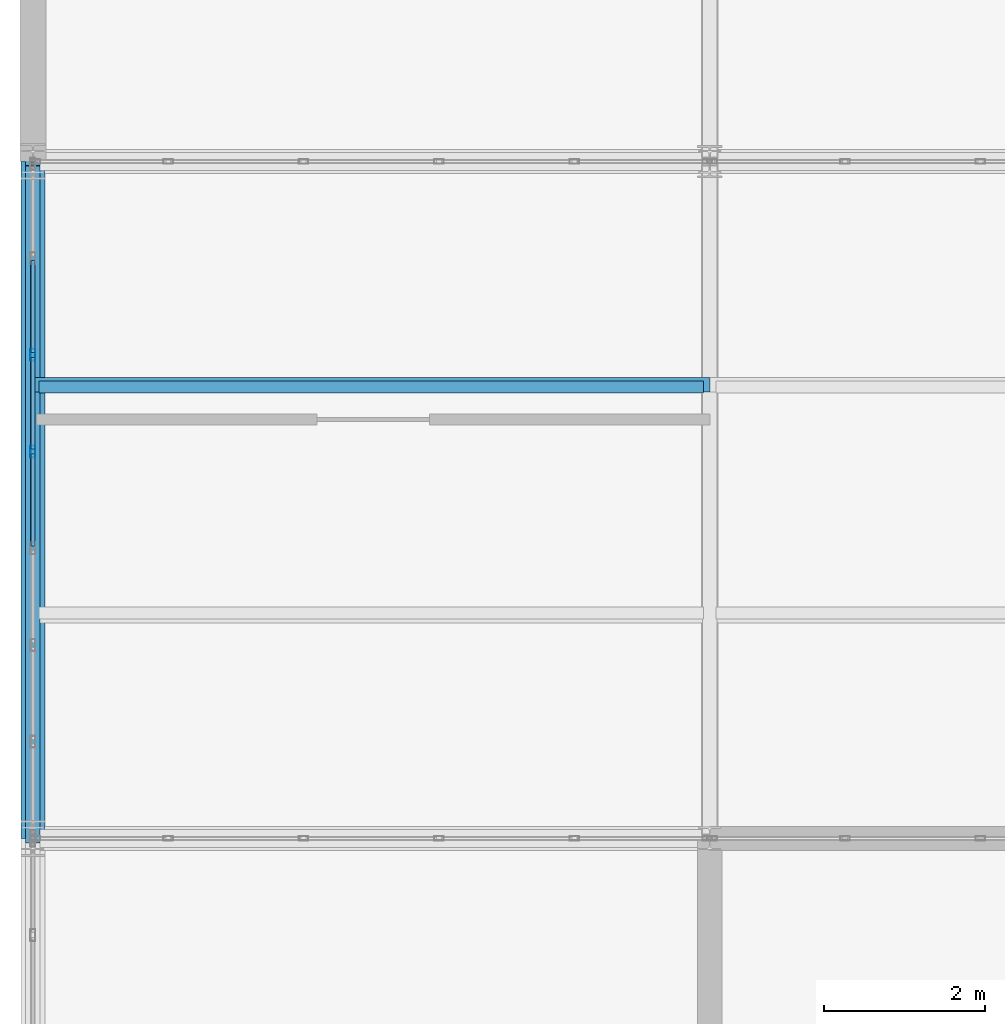
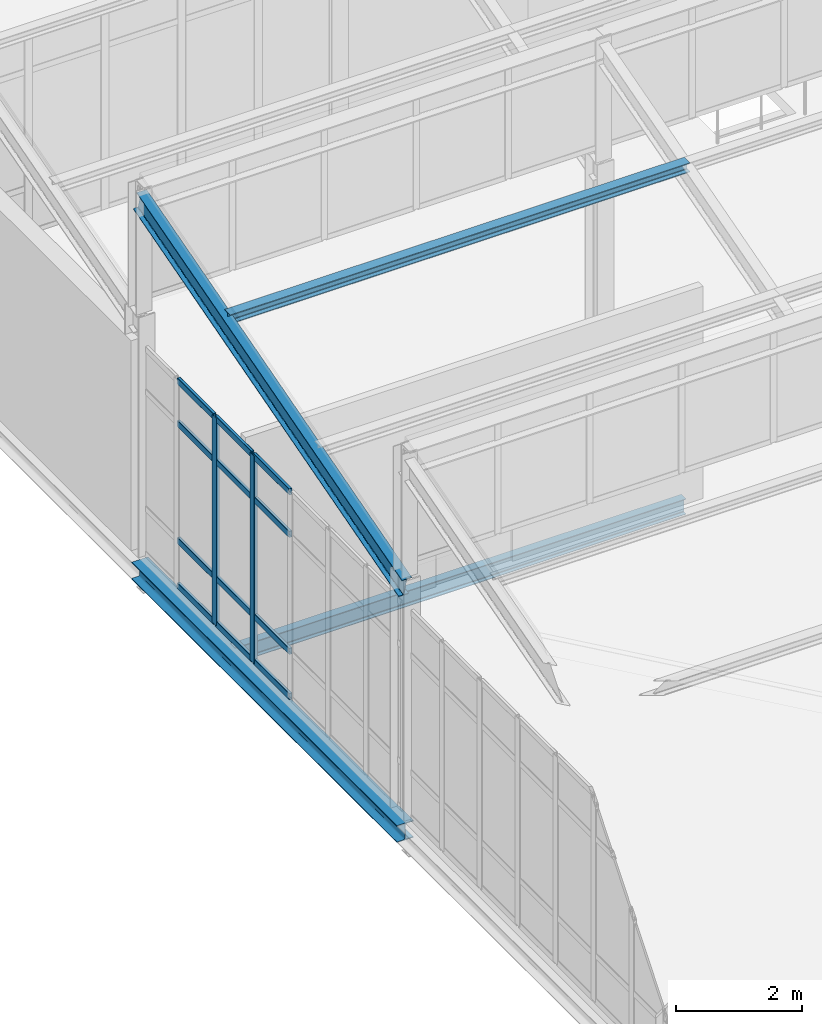
# One storey, part 15 of 53: 15 members, 3 beams, 1 element without a shape of its own.
"""IFC4 building model written with IfcOpenShell, lengths in metres."""

from ifc_helpers import new_model, si_unit, direction, frame, origin, origin_2d, place, context, subcontext, project, spatial, hollow_rectangle, i_section, extrude, material, layer, layer_set, material_profile, profile_set, type_object, element, aggregate, save


model = new_model("IFC4")

# Units and contexts
model_context = context("Model", 3, precision=1e-05, world=origin(), true_north=direction((0.0, 1.0)))
body_context = subcontext(model_context, "Body", "Model", "MODEL_VIEW")
ifc_project = project(units=[si_unit("LENGTHUNIT", "METRE"), si_unit("AREAUNIT", "SQUARE_METRE"), si_unit("VOLUMEUNIT", "CUBIC_METRE"), si_unit("PLANEANGLEUNIT", "RADIAN"), si_unit("MASSUNIT", "GRAM", prefix="KILO")], contexts=[model_context])

# Site, building, storey
site_placement = place(None, origin())
site = spatial("IfcSite", under=ifc_project, at=site_placement, CompositionType="ELEMENT")
building_placement = place(site_placement, origin())
building = spatial("IfcBuilding", under=site, at=building_placement, Name="Qalvenar Corner Mobility Hub", CompositionType="ELEMENT")
storey_placement = place(building_placement, frame((0.0, 0.0, 26.39990234375)))
storey = spatial("IfcBuildingStorey", under=building, at=storey_placement, Name="L06", CompositionType="ELEMENT", Elevation=26.39990234375)

# Beams
ifc_material_1 = material(Name="Steel S355", Category="steel")
ifc_material_profile_1 = material_profile(ifc_material_1, i_section(OverallWidth=0.179931640625, OverallDepth=0.39990234375, WebThickness=0.008544921875, FlangeThickness=0.013427734375, FilletRadius=0.02099609375, at=origin_2d()), Name="IPE400")
ifc_profile_set_1 = profile_set([ifc_material_profile_1], Name="Steel S355")
beam_type_1 = type_object("IfcBeamType", Name="BM-IPE400", PredefinedType="BEAM", material=ifc_profile_set_1)
beam_1_placement = place(storey_placement, frame((0.0, 16.800048828125, 4.340087890625), z_axis=(0.0, 0.96152605678, 0.274713745804), x_axis=(-1.0, 0.0, 0.0)))
element("IfcBeam", 1, at=beam_1_placement, inside=storey, type_object=beam_type_1, Name="Sawtooth Rafter V3RF-3-1", PredefinedType="BEAM", context=body_context, shape_type="SweptSolid", body=[
    extrude(i_section(OverallWidth=0.179931640625, OverallDepth=0.39990234375, WebThickness=0.008544921875, FlangeThickness=0.013427734375, FilletRadius=0.02099609375, at=origin_2d()), origin(), (0.0, 0.0, 1.0), 8.736083984375),
])
ifc_material_profile_2 = material_profile(ifc_material_1, i_section(OverallWidth=0.14990234375, OverallDepth=0.300048828125, WebThickness=0.007080078125, FlangeThickness=0.0107421875, FilletRadius=0.014892578125, at=origin_2d()), Name="IPE300")
ifc_profile_set_2 = profile_set([ifc_material_profile_2], Name="Steel S355")
beam_type_2 = type_object("IfcBeamType", Name="BM-JST300", PredefinedType="JOIST", material=ifc_profile_set_2)
beam_2_placement = place(storey_placement, frame((0.077880859375, 22.39990234375, -0.369873046875), z_axis=(1.0, 0.0, 0.0), x_axis=(0.0, 1.0, 0.0)))
element("IfcBeam", 2, at=beam_2_placement, inside=storey, type_object=beam_type_2, Name="Composite Floor Joist J-3107", PredefinedType="JOIST", context=body_context, shape_type="SweptSolid", body=[
    extrude(i_section(OverallWidth=0.14990234375, OverallDepth=0.300048828125, WebThickness=0.007080078125, FlangeThickness=0.0107421875, FilletRadius=0.014892578125, at=origin_2d()), origin(), (0.0, 0.0, 1.0), 8.244140625),
])
ifc_material_profile_3 = material_profile(ifc_material_1, i_section(OverallWidth=0.300048828125, OverallDepth=0.330078125, WebThickness=0.009521484375, FlangeThickness=0.0166015625, FilletRadius=0.027099609375, at=origin_2d()), Name="HEA340")
ifc_profile_set_3 = profile_set([ifc_material_profile_3], Name="Steel S355")
beam_type_3 = type_object("IfcBeamType", Name="BM-SPN340", PredefinedType="SPANDREL", material=ifc_profile_set_3)
beam_3_placement = place(storey_placement, frame((0.0, 16.800048828125, -0.385009765625), z_axis=(0.0, 1.0, 0.0), x_axis=(-1.0, 0.0, 0.0)))
element("IfcBeam", 3, at=beam_3_placement, inside=storey, type_object=beam_type_3, Name="Primary Steel Girder GY-3079", PredefinedType="SPANDREL", context=body_context, shape_type="SweptSolid", body=[
    extrude(i_section(OverallWidth=0.300048828125, OverallDepth=0.330078125, WebThickness=0.009521484375, FlangeThickness=0.0166015625, FilletRadius=0.027099609375, at=origin_2d()), origin(), (0.0, 0.0, 1.0), 8.39990234375),
])

# Curtain wall, members
ifc_material_2 = material(Name="Anodised Aluminium and Low-E Glazing", Category="aluminium")
ifc_layer = layer(ifc_material_2, 0.14990234375)
ifc_layer_set = layer_set([ifc_layer], Name="Anodised Aluminium and Low-E Glazing")
curtain_wall_type = type_object("IfcCurtainWallType", Name="CW-CIV-84X40", PredefinedType="NOTDEFINED", material=ifc_layer_set)
curtain_wall_placement = place(storey_placement, origin())
curtain_wall = element("IfcCurtainWall", 4, at=curtain_wall_placement, inside=storey, type_object=curtain_wall_type, Name="Glazed Curtain Wall CW-V3-L06-W2", PredefinedType="NOTDEFINED")
ifc_material_3 = material(Name="Anodised Aluminium 6063-T6", Category="aluminium")
ifc_material_profile_4 = material_profile(ifc_material_3, hollow_rectangle(XDim=0.06005859375, YDim=0.14990234375, WallThickness=0.00390625, InnerFilletRadius=0.00390625, OuterFilletRadius=0.008056640625, at=origin_2d()), Name="RHS150x60x4")
ifc_profile_set_4 = profile_set([ifc_material_profile_4], Name="Anodised Aluminium 6063-T6")
member_type_1 = type_object("IfcMemberType", Name="CW-MUL150", PredefinedType="MULLION", material=ifc_profile_set_4)
member_1_placement = place(storey_placement, frame((0.0, 22.800048828125, 0.0), z_axis=(0.0, 0.0, 1.0), x_axis=(1.0, 0.0, 0.0)))
member_1 = element("IfcMember", 5, at=member_1_placement, type_object=member_type_1, Name="CW-05 mullion 3", PredefinedType="MULLION", context=body_context, shape_type="SweptSolid", body=[
    extrude(hollow_rectangle(XDim=0.06005859375, YDim=0.14990234375, WallThickness=0.00390625, InnerFilletRadius=0.00390625, OuterFilletRadius=0.008056640625, at=origin_2d()), origin(), (0.0, 0.0, 1.0), 4.010009765625),
])
member_2_placement = place(storey_placement, frame((0.0, 21.60009765625, 0.0), z_axis=(0.0, 0.0, 1.0), x_axis=(1.0, 0.0, 0.0)))
member_2 = element("IfcMember", 6, at=member_2_placement, type_object=member_type_1, Name="CW-05 mullion 4", PredefinedType="MULLION", context=body_context, shape_type="SweptSolid", body=[
    extrude(hollow_rectangle(XDim=0.06005859375, YDim=0.14990234375, WallThickness=0.00390625, InnerFilletRadius=0.00390625, OuterFilletRadius=0.008056640625, at=origin_2d()), origin(), (0.0, 0.0, 1.0), 4.010009765625),
])
ifc_material_profile_5 = material_profile(ifc_material_3, hollow_rectangle(XDim=0.054931640625, YDim=0.1201171875, WallThickness=0.00341796875, InnerFilletRadius=0.00341796875, OuterFilletRadius=0.007080078125, at=origin_2d()), Name="RHS120x55x3.5")
ifc_profile_set_5 = profile_set([ifc_material_profile_5], Name="Anodised Aluminium 6063-T6")
member_type_2 = type_object("IfcMemberType", Name="CW-TRN120", PredefinedType="USERDEFINED", material=ifc_profile_set_5)
member_3_placement = place(storey_placement, frame((0.0, 23.969970703125, 0.027587890625), z_axis=(0.0, -1.0, 0.0), x_axis=(1.0, 0.0, 0.0)))
member_3 = element("IfcMember", 7, at=member_3_placement, type_object=member_type_2, Name="CW-05 transom 2.1", ObjectType="TRANSOM", PredefinedType="USERDEFINED", context=body_context, shape_type="SweptSolid", body=[
    extrude(hollow_rectangle(XDim=0.054931640625, YDim=0.1201171875, WallThickness=0.00341796875, InnerFilletRadius=0.00341796875, OuterFilletRadius=0.007080078125, at=origin_2d()), origin(), (0.0, 0.0, 1.0), 1.139892578125),
])
member_4_placement = place(storey_placement, frame((0.0, 23.969970703125, 0.900146484375), z_axis=(0.0, -1.0, 0.0), x_axis=(1.0, 0.0, 0.0)))
member_4 = element("IfcMember", 8, at=member_4_placement, type_object=member_type_2, Name="CW-05 transom 2.2", ObjectType="TRANSOM", PredefinedType="USERDEFINED", context=body_context, shape_type="SweptSolid", body=[
    extrude(hollow_rectangle(XDim=0.054931640625, YDim=0.1201171875, WallThickness=0.00341796875, InnerFilletRadius=0.00341796875, OuterFilletRadius=0.007080078125, at=origin_2d()), origin(), (0.0, 0.0, 1.0), 1.139892578125),
])
member_5_placement = place(storey_placement, frame((0.0, 23.969970703125, 3.16015625), z_axis=(0.0, -1.0, 0.0), x_axis=(1.0, 0.0, 0.0)))
member_5 = element("IfcMember", 9, at=member_5_placement, type_object=member_type_2, Name="CW-05 transom 2.3", ObjectType="TRANSOM", PredefinedType="USERDEFINED", context=body_context, shape_type="SweptSolid", body=[
    extrude(hollow_rectangle(XDim=0.054931640625, YDim=0.1201171875, WallThickness=0.00341796875, InnerFilletRadius=0.00341796875, OuterFilletRadius=0.007080078125, at=origin_2d()), origin(), (0.0, 0.0, 1.0), 1.139892578125),
])
member_6_placement = place(storey_placement, frame((0.0, 23.969970703125, 3.982666015625), z_axis=(0.0, -1.0, 0.0), x_axis=(1.0, 0.0, 0.0)))
member_6 = element("IfcMember", 10, at=member_6_placement, type_object=member_type_2, Name="CW-05 transom 2.4", ObjectType="TRANSOM", PredefinedType="USERDEFINED", context=body_context, shape_type="SweptSolid", body=[
    extrude(hollow_rectangle(XDim=0.054931640625, YDim=0.1201171875, WallThickness=0.00341796875, InnerFilletRadius=0.00341796875, OuterFilletRadius=0.007080078125, at=origin_2d()), origin(), (0.0, 0.0, 1.0), 1.139892578125),
])
member_7_placement = place(storey_placement, frame((0.0, 22.77001953125, 0.027587890625), z_axis=(0.0, -1.0, 0.0), x_axis=(1.0, 0.0, 0.0)))
member_7 = element("IfcMember", 11, at=member_7_placement, type_object=member_type_2, Name="CW-05 transom 3.1", ObjectType="TRANSOM", PredefinedType="USERDEFINED", context=body_context, shape_type="SweptSolid", body=[
    extrude(hollow_rectangle(XDim=0.054931640625, YDim=0.1201171875, WallThickness=0.00341796875, InnerFilletRadius=0.00341796875, OuterFilletRadius=0.007080078125, at=origin_2d()), origin(), (0.0, 0.0, 1.0), 1.14013671875),
])
member_8_placement = place(storey_placement, frame((0.0, 22.77001953125, 0.900146484375), z_axis=(0.0, -1.0, 0.0), x_axis=(1.0, 0.0, 0.0)))
member_8 = element("IfcMember", 12, at=member_8_placement, type_object=member_type_2, Name="CW-05 transom 3.2", ObjectType="TRANSOM", PredefinedType="USERDEFINED", context=body_context, shape_type="SweptSolid", body=[
    extrude(hollow_rectangle(XDim=0.054931640625, YDim=0.1201171875, WallThickness=0.00341796875, InnerFilletRadius=0.00341796875, OuterFilletRadius=0.007080078125, at=origin_2d()), origin(), (0.0, 0.0, 1.0), 1.14013671875),
])
member_9_placement = place(storey_placement, frame((0.0, 22.77001953125, 3.16015625), z_axis=(0.0, -1.0, 0.0), x_axis=(1.0, 0.0, 0.0)))
member_9 = element("IfcMember", 13, at=member_9_placement, type_object=member_type_2, Name="CW-05 transom 3.3", ObjectType="TRANSOM", PredefinedType="USERDEFINED", context=body_context, shape_type="SweptSolid", body=[
    extrude(hollow_rectangle(XDim=0.054931640625, YDim=0.1201171875, WallThickness=0.00341796875, InnerFilletRadius=0.00341796875, OuterFilletRadius=0.007080078125, at=origin_2d()), origin(), (0.0, 0.0, 1.0), 1.14013671875),
])
member_10_placement = place(storey_placement, frame((0.0, 22.77001953125, 3.982666015625), z_axis=(0.0, -1.0, 0.0), x_axis=(1.0, 0.0, 0.0)))
member_10 = element("IfcMember", 14, at=member_10_placement, type_object=member_type_2, Name="CW-05 transom 3.4", ObjectType="TRANSOM", PredefinedType="USERDEFINED", context=body_context, shape_type="SweptSolid", body=[
    extrude(hollow_rectangle(XDim=0.054931640625, YDim=0.1201171875, WallThickness=0.00341796875, InnerFilletRadius=0.00341796875, OuterFilletRadius=0.007080078125, at=origin_2d()), origin(), (0.0, 0.0, 1.0), 1.14013671875),
])
member_11_placement = place(storey_placement, frame((0.0, 21.570068359375, 0.027587890625), z_axis=(0.0, -1.0, 0.0), x_axis=(1.0, 0.0, 0.0)))
member_11 = element("IfcMember", 15, at=member_11_placement, type_object=member_type_2, Name="CW-05 transom 4.1", ObjectType="TRANSOM", PredefinedType="USERDEFINED", context=body_context, shape_type="SweptSolid", body=[
    extrude(hollow_rectangle(XDim=0.054931640625, YDim=0.1201171875, WallThickness=0.00341796875, InnerFilletRadius=0.00341796875, OuterFilletRadius=0.007080078125, at=origin_2d()), origin(), (0.0, 0.0, 1.0), 1.14013671875),
])
member_12_placement = place(storey_placement, frame((0.0, 21.570068359375, 0.900146484375), z_axis=(0.0, -1.0, 0.0), x_axis=(1.0, 0.0, 0.0)))
member_12 = element("IfcMember", 16, at=member_12_placement, type_object=member_type_2, Name="CW-05 transom 4.2", ObjectType="TRANSOM", PredefinedType="USERDEFINED", context=body_context, shape_type="SweptSolid", body=[
    extrude(hollow_rectangle(XDim=0.054931640625, YDim=0.1201171875, WallThickness=0.00341796875, InnerFilletRadius=0.00341796875, OuterFilletRadius=0.007080078125, at=origin_2d()), origin(), (0.0, 0.0, 1.0), 1.14013671875),
])
member_13_placement = place(storey_placement, frame((0.0, 21.570068359375, 3.16015625), z_axis=(0.0, -1.0, 0.0), x_axis=(1.0, 0.0, 0.0)))
member_13 = element("IfcMember", 17, at=member_13_placement, type_object=member_type_2, Name="CW-05 transom 4.3", ObjectType="TRANSOM", PredefinedType="USERDEFINED", context=body_context, shape_type="SweptSolid", body=[
    extrude(hollow_rectangle(XDim=0.054931640625, YDim=0.1201171875, WallThickness=0.00341796875, InnerFilletRadius=0.00341796875, OuterFilletRadius=0.007080078125, at=origin_2d()), origin(), (0.0, 0.0, 1.0), 1.14013671875),
])
member_14_placement = place(storey_placement, frame((0.0, 21.570068359375, 3.982666015625), z_axis=(0.0, -1.0, 0.0), x_axis=(1.0, 0.0, 0.0)))
member_14 = element("IfcMember", 18, at=member_14_placement, type_object=member_type_2, Name="CW-05 transom 4.4", ObjectType="TRANSOM", PredefinedType="USERDEFINED", context=body_context, shape_type="SweptSolid", body=[
    extrude(hollow_rectangle(XDim=0.054931640625, YDim=0.1201171875, WallThickness=0.00341796875, InnerFilletRadius=0.00341796875, OuterFilletRadius=0.007080078125, at=origin_2d()), origin(), (0.0, 0.0, 1.0), 1.14013671875),
])
aggregate(curtain_wall, [member_1, member_2, member_3, member_4, member_5, member_6, member_7, member_8, member_9, member_10, member_11, member_12, member_13, member_14])

# Member
ifc_material_profile_6 = material_profile(ifc_material_1, i_section(OverallWidth=0.179931640625, OverallDepth=0.179931640625, WebThickness=0.008544921875, FlangeThickness=0.013916015625, FilletRadius=0.014892578125, at=origin_2d()), Name="HEB180")
ifc_profile_set_6 = profile_set([ifc_material_profile_6], Name="Steel S355")
member_type_3 = type_object("IfcMemberType", Name="PR-RHS180", PredefinedType="PURLIN", material=ifc_profile_set_6)
member_15_placement = place(storey_placement, frame((0.0, 22.427978515625, 6.148193359375), z_axis=(1.0, 0.0, 0.0), x_axis=(0.0, 1.0, 0.0)))
element("IfcMember", 19, at=member_15_placement, inside=storey, type_object=member_type_3, Name="Sawtooth Roof Purlin PR-V3-3-1-67", PredefinedType="PURLIN", context=body_context, shape_type="SweptSolid", body=[
    extrude(i_section(OverallWidth=0.179931640625, OverallDepth=0.179931640625, WebThickness=0.008544921875, FlangeThickness=0.013916015625, FilletRadius=0.014892578125, at=origin_2d()), origin(), (0.0, 0.0, 1.0), 8.39990234375),
])

save(model, "model.ifc")
